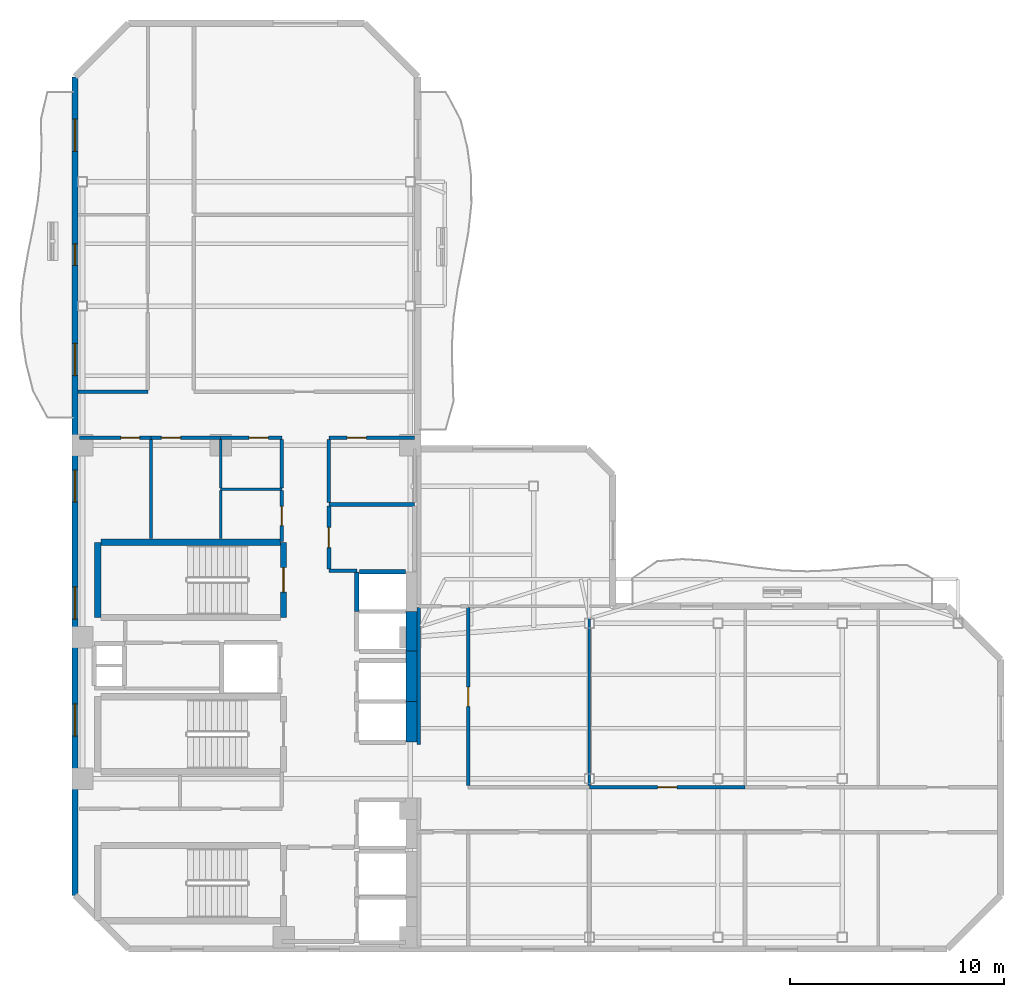
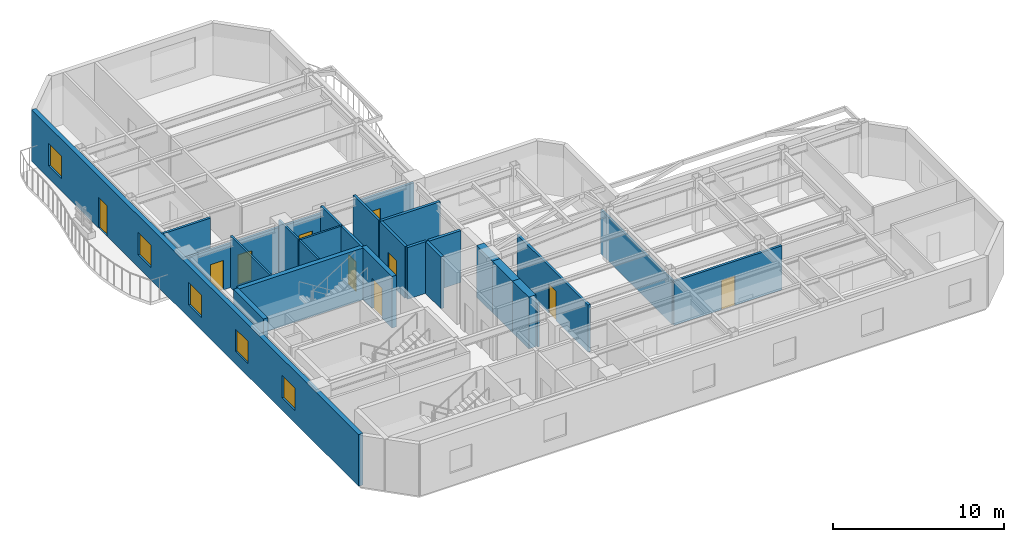
# One storey, part 4 of 9: 28 walls, 10 doors, 5 windows, 15 openings.
"""IFC4 building model written with IfcOpenShell, lengths in metres."""

import ifcopenshell
import ifcopenshell.guid

model = None  # the IFC model being written
_history = None  # IfcOwnerHistory: only IFC2X3 demands one
_inside = {}  # id of a spatial element -> (the spatial element, [elements in it])
_under = {}  # id of a project, library or spatial element -> (it, [spatial elements below it])
_declared = {}  # id of a project -> (the project, [libraries it declares])
_typed = {}  # id of a type object -> (the type object, [elements of that type])
_made_of = {}  # id of a material, layer set ... -> (it, [elements and type objects made of it])


def new_model(schema):
    """Start an empty IFC model of exactly this schema.

    Asked for "IFC4X3", IfcOpenShell would pick the latest addendum, in which some entities
    have other attributes; the version numbers below select the first issue.
    IFC2X3 requires an IfcOwnerHistory on every rooted entity: one is made here for all.
    """
    global model, _history
    if schema == "IFC4X3":
        model = ifcopenshell.file(schema_version=(4, 3, 0, 0))
    else:
        model = ifcopenshell.file(schema=schema)
    _inside.clear()
    _under.clear()
    _declared.clear()
    _typed.clear()
    _made_of.clear()
    _history = None
    if model.schema == "IFC2X3":
        org = make("IfcOrganization", Name="unknown")
        user = make(
            "IfcPersonAndOrganization",
            ThePerson=make("IfcPerson", FamilyName="unknown"),
            TheOrganization=org,
        )
        app = make(
            "IfcApplication",
            ApplicationDeveloper=org,
            Version="unknown",
            ApplicationFullName="unknown",
            ApplicationIdentifier="unknown",
        )
        _history = make(
            "IfcOwnerHistory",
            OwningUser=user,
            OwningApplication=app,
            ChangeAction="ADDED",
            CreationDate=0,
        )
    return model


def make(cls, **values):
    """One entity of the class cls with the attributes given. An attribute that is None is left unset."""
    return model.create_entity(
        cls, **{name: value for name, value in values.items() if value is not None}
    )


def rooted(cls, **values):
    """An entity with a GlobalId (a new one), such as an element, a storey or a relation."""
    return make(cls, GlobalId=ifcopenshell.guid.new(), OwnerHistory=_history, **values)


def si_unit(unit_type, name, prefix=None):
    """IfcSIUnit, for example si_unit("LENGTHUNIT", "METRE", prefix="MILLI")."""
    return make("IfcSIUnit", UnitType=unit_type, Prefix=prefix, Name=name)


def assignment(units):
    """IfcUnitAssignment: the units of a project."""
    return None if units is None else make("IfcUnitAssignment", Units=units)


def point(xyz):
    """IfcCartesianPoint."""
    return None if xyz is None else make("IfcCartesianPoint", Coordinates=xyz)


def direction(xyz):
    """IfcDirection."""
    return None if xyz is None else make("IfcDirection", DirectionRatios=xyz)


def frame(location, z_axis=None, x_axis=None):
    """IfcAxis2Placement3D, a coordinate frame: its origin and axes. An axis left out is left unset."""
    return make(
        "IfcAxis2Placement3D",
        Location=point(location),
        Axis=direction(z_axis),
        RefDirection=direction(x_axis),
    )


def frame_2d(location, x_axis=None):
    """IfcAxis2Placement2D, a coordinate frame in the plane: its origin and x axis."""
    return make(
        "IfcAxis2Placement2D", Location=point(location), RefDirection=direction(x_axis)
    )


def origin():
    """The frame at (0, 0, 0) with its axes left unset."""
    return frame((0.0, 0.0, 0.0))


def place(relative_to, where):
    """IfcLocalPlacement: puts the frame where relative to a parent placement (None: the world)."""
    return make(
        "IfcLocalPlacement", PlacementRelTo=relative_to, RelativePlacement=where
    )


def context(
    kind, dimensions, precision=None, world=None, true_north=None, identifier=None
):
    """IfcGeometricRepresentationContext, for example the 3D "Model" context."""
    return make(
        "IfcGeometricRepresentationContext",
        ContextIdentifier=identifier,
        ContextType=kind,
        CoordinateSpaceDimension=dimensions,
        Precision=precision,
        WorldCoordinateSystem=world,
        TrueNorth=true_north,
    )


def subcontext(parent, identifier, kind, view, scale=None):
    """IfcGeometricRepresentationSubContext, for example "Body" below "Model"."""
    return make(
        "IfcGeometricRepresentationSubContext",
        ContextIdentifier=identifier,
        ContextType=kind,
        ParentContext=parent,
        TargetScale=scale,
        TargetView=view,
    )


def project(units=None, contexts=None):
    """IfcProject with its units and contexts."""
    return rooted(
        "IfcProject",
        Name="project",
        RepresentationContexts=contexts,
        UnitsInContext=assignment(units),
    )


def spatial(cls, under=None, at=None, **own):
    """A site, building, storey or space (cls), placed at a placement, below another one or the project."""
    s = rooted(cls, ObjectPlacement=at, **own)
    if under is not None:
        _under.setdefault(under.id(), (under, []))[1].append(s)
    return s


def profile(cls, at=None, kind="AREA", **sizes):
    """A parametric profile (cls). Its sizes go by their IFC names, for example OverallWidth=200.0."""
    return make(cls, ProfileType=kind, Position=at, **sizes)


def rectangle(**sizes):
    """IfcRectangleProfileDef."""
    return profile("IfcRectangleProfileDef", **sizes)


def extrude(swept, where, along, depth):
    """IfcExtrudedAreaSolid: the profile swept, set in the frame where, extruded along a direction by depth."""
    return make(
        "IfcExtrudedAreaSolid",
        SweptArea=swept,
        Position=where,
        ExtrudedDirection=direction(along),
        Depth=depth,
    )


def shape(context_of_items, identifier, shape_type, items):
    """IfcShapeRepresentation: the items that make up one representation, for example the "Body"."""
    return make(
        "IfcShapeRepresentation",
        ContextOfItems=context_of_items,
        RepresentationIdentifier=identifier,
        RepresentationType=shape_type,
        Items=items,
    )


def material(Name=None, Category=None):
    """IfcMaterial."""
    return make("IfcMaterial", Name=Name, Category=Category)


def layer(
    of_material, thickness, ventilated=None, Name=None, Category=None, Priority=None
):
    """IfcMaterialLayer: one layer of a wall or slab, of a material (None: an air gap)."""
    return make(
        "IfcMaterialLayer",
        Material=of_material,
        LayerThickness=thickness,
        IsVentilated=ventilated,
        Name=Name,
        Category=Category,
        Priority=Priority,
    )


def layer_set(layers, Name=None):
    """IfcMaterialLayerSet."""
    return make("IfcMaterialLayerSet", MaterialLayers=layers, LayerSetName=Name)


def made_of(thing, what):
    """Note that an element or type object is made of a material, layer set ...; save() writes the relation."""
    if what is not None:
        _made_of.setdefault(what.id(), (what, []))[1].append(thing)
    return thing


def type_object(cls, material=None, **own):
    """A type object (cls), such as IfcWallType, which elements share."""
    return made_of(rooted(cls, **own), material)


def element(
    cls,
    number,
    at=None,
    inside=None,
    cuts=None,
    type_object=None,
    material=None,
    context=None,
    identifier="Body",
    shape_type=None,
    held_by="IfcProductDefinitionShape",
    body=None,
    shapes=None,
    **own,
):
    """One element of the class cls, such as IfcWall. Its Tag is "e" and its number.

    at: its placement. inside: the storey or other place that contains it. cuts: it is an
    opening in that element (IfcRelVoidsElement). A single representation is given by context,
    identifier, shape_type and body (its items); several are given by shapes. held_by: the class
    of the entity that holds the representations. save() writes the other relations.
    """
    e = rooted(cls, Tag="e%d" % number, ObjectPlacement=at, **own)
    if body is not None:
        shapes = [shape(context, identifier, shape_type, body)]
    if shapes is not None:
        e.Representation = make(held_by, Representations=shapes)
    if inside is not None:
        _inside.setdefault(inside.id(), (inside, []))[1].append(e)
    if cuts is not None:
        rooted(
            "IfcRelVoidsElement", RelatingBuildingElement=cuts, RelatedOpeningElement=e
        )
    if type_object is not None:
        _typed.setdefault(type_object.id(), (type_object, []))[1].append(e)
    return made_of(e, material)


def fill(opening, filler):
    """IfcRelFillsElement: the door or window that sits in an opening."""
    return rooted(
        "IfcRelFillsElement",
        RelatingOpeningElement=opening,
        RelatedBuildingElement=filler,
    )


def aggregate(whole, parts):
    """IfcRelAggregates: a whole, such as a stair, and the parts it consists of."""
    return rooted("IfcRelAggregates", RelatingObject=whole, RelatedObjects=parts)


def save(model, path):
    """Write the relations noted so far, then the file.

    IfcRelAggregates (storeys below a building ...), IfcRelContainedInSpatialStructure (elements
    in a storey), IfcRelDefinesByType, IfcRelAssociatesMaterial and IfcRelDeclares: one each for
    every whole, place, type object, material and project.
    """
    for whole, parts in _under.values():
        aggregate(whole, parts)
    for where, things in _inside.values():
        rooted(
            "IfcRelContainedInSpatialStructure",
            RelatedElements=things,
            RelatingStructure=where,
        )
    for kind, things in _typed.values():
        rooted("IfcRelDefinesByType", RelatedObjects=things, RelatingType=kind)
    for what, things in _made_of.values():
        rooted("IfcRelAssociatesMaterial", RelatedObjects=things, RelatingMaterial=what)
    for by, libraries in _declared.values():
        rooted("IfcRelDeclares", RelatingContext=by, RelatedDefinitions=libraries)
    model.write(path)


model = new_model("IFC4")

# Units and contexts
model_context = context("Model", 3, precision=1e-05, world=origin(), true_north=direction((0.0, 1.0)))
body_context = subcontext(model_context, "Body", "Model", "MODEL_VIEW")
ifc_project = project(units=[si_unit("LENGTHUNIT", "METRE"), si_unit("AREAUNIT", "SQUARE_METRE"), si_unit("VOLUMEUNIT", "CUBIC_METRE"), si_unit("PLANEANGLEUNIT", "RADIAN"), si_unit("MASSUNIT", "GRAM", prefix="KILO")], contexts=[model_context])

# Site, building, storey
site_placement = place(None, origin())
site = spatial("IfcSite", under=ifc_project, at=site_placement, CompositionType="ELEMENT")
building_placement = place(site_placement, origin())
building = spatial("IfcBuilding", under=site, at=building_placement, Name="Mawjaban Terraces University", CompositionType="ELEMENT")
storey_placement = place(building_placement, frame((0.0, 0.0, 203.10009765625)))
storey = spatial("IfcBuildingStorey", under=building, at=storey_placement, Name="L49", CompositionType="ELEMENT", Elevation=203.10009765625)

# Walls
ifc_material_1 = material(Name="Acoustic masonry blockwork", Category="masonry")
ifc_layer_1 = layer(ifc_material_1, 0.179931640625)
ifc_layer_set_1 = layer_set([ifc_layer_1], Name="Acoustic masonry blockwork")
wall_type_1 = type_object("IfcWallType", Name="AcousticStudioWall_180", PredefinedType="PARTITIONING", material=ifc_layer_set_1)
wall_1_placement = place(storey_placement, frame((33.85009765625, 17.64990234375, 0.0), z_axis=(0.0, 0.0, 1.0), x_axis=(1.0, 0.0, 0.0)))
element("IfcWall", 1, at=wall_1_placement, inside=storey, type_object=wall_type_1, Name="L49 Graduate Research Collaboration Studio Partition 12", PredefinedType="PARTITIONING", context=body_context, shape_type="SweptSolid", body=[
    extrude(rectangle(XDim=1.2998046875, YDim=0.179931640625, at=frame_2d((0.64990234375, 0.0))), origin(), (0.0, 0.0, 1.0), 3.68994140625),
])
wall_2_placement = place(storey_placement, frame((37.85009765625, 20.75, 0.0), z_axis=(0.0, 0.0, 1.0), x_axis=(-1.0, 0.0, 0.0)))
element("IfcWall", 2, at=wall_2_placement, inside=storey, type_object=wall_type_1, Name="L49 Graduate Research Collaboration Studio Partition 14", PredefinedType="PARTITIONING", context=body_context, shape_type="SweptSolid", body=[
    extrude(rectangle(XDim=4.0, YDim=0.179931640625, at=frame_2d((2.0, 0.0))), origin(), (0.0, 0.0, 1.0), 3.68994140625),
])

# Wall, opening, door
wall_3_placement = place(storey_placement, frame((33.85009765625, 17.735107421875, 0.0), z_axis=(0.0, 0.0, 1.0), x_axis=(0.0, 1.0, 0.0)))
wall_3 = element("IfcWall", 3, at=wall_3_placement, inside=storey, type_object=wall_type_1, Name="L49 Core North Lift Lobby Partition 42", PredefinedType="PARTITIONING", context=body_context, shape_type="SweptSolid", body=[
    extrude(rectangle(XDim=2.929931640625, YDim=0.179931640625, at=frame_2d((1.46484375, 0.0))), origin(), (0.0, 0.0, 1.0), 3.68994140625),
])
opening_1_placement = place(wall_3_placement, frame((0.989990234375, 0.0, 0.0)))
opening_1 = element("IfcOpeningElement", 4, at=opening_1_placement, cuts=wall_3, Name="Opening ID-095", PredefinedType="OPENING", context=body_context, shape_type="SweptSolid", body=[
    extrude(rectangle(XDim=0.949951171875, YDim=2.10009765625, at=frame_2d((0.47509765625, 1.050048828125))), frame((0.0, 0.099853515625, 0.0), z_axis=(0.0, -1.0, 0.0), x_axis=(1.0, 0.0, 0.0)), (0.0, 0.0, 1.0), 0.199951171875),
])
ifc_material_2 = material(Name="Powder-coated steel frame and solid acoustic timber leaf", Category="steel")
door_type_1 = type_object("IfcDoorType", Name="StudioDoor_950x2100", OperationType="NOTDEFINED", PredefinedType="DOOR", material=ifc_material_2)
door_1_placement = place(opening_1_placement, origin())
door_1 = element("IfcDoor", 5, at=door_1_placement, inside=storey, type_object=door_type_1, Name="L49 Graduate Research Collaboration Studio Door", OperationType="SINGLE_SWING_RIGHT", OverallHeight=2.10009765625, OverallWidth=0.949951171875, PredefinedType="DOOR", context=body_context, shape_type="SweptSolid", body=[
    extrude(rectangle(XDim=0.949951171875, YDim=2.10009765625, at=frame_2d((0.47509765625, 1.050048828125))), frame((0.0, 0.02490234375, 0.0), z_axis=(0.0, -1.0, 0.0), x_axis=(1.0, 0.0, 0.0)), (0.0, 0.0, 1.0), 0.050048828125),
])
fill(opening_1, door_1)

# Walls
ifc_material_3 = material(Name="Concrete C60/75", Category="concrete")
ifc_layer_2 = layer(ifc_material_3, 0.5)
ifc_layer_set_2 = layer_set([ifc_layer_2], Name="Concrete C60/75")
wall_type_2 = type_object("IfcWallType", Name="CoreShearWall_500", PredefinedType="SHEAR", material=ifc_layer_set_2)
wall_4_placement = place(storey_placement, frame((37.699951171875, 9.64990234375, 0.0), z_axis=(0.0, 0.0, 1.0), x_axis=(0.0, 1.0, 0.0)))
element("IfcWall", 6, at=wall_4_placement, inside=storey, type_object=wall_type_2, Name="L49 Lift PL-H1 Hoistway Wall East", PredefinedType="SHEAR", context=body_context, shape_type="SweptSolid", body=[
    extrude(rectangle(XDim=1.900146484375, YDim=0.5, at=frame_2d((0.9501953125, 0.0))), origin(), (0.0, 0.0, 1.0), 3.68994140625),
])
wall_5_placement = place(storey_placement, frame((37.699951171875, 11.550048828125, 0.0), z_axis=(0.0, 0.0, 1.0), x_axis=(0.0, 1.0, 0.0)))
element("IfcWall", 7, at=wall_5_placement, inside=storey, type_object=wall_type_2, Name="L49 Lift PL-H2 Hoistway Wall East", PredefinedType="SHEAR", context=body_context, shape_type="SweptSolid", body=[
    extrude(rectangle(XDim=2.349853515625, YDim=0.5, at=frame_2d((1.1748046875, 0.0))), origin(), (0.0, 0.0, 1.0), 3.68994140625),
])
wall_6_placement = place(storey_placement, frame((37.699951171875, 13.89990234375, 0.0), z_axis=(0.0, 0.0, 1.0), x_axis=(0.0, 1.0, 0.0)))
element("IfcWall", 8, at=wall_6_placement, inside=storey, type_object=wall_type_2, Name="L49 Lift OL-1 Hoistway Wall East", PredefinedType="SHEAR", context=body_context, shape_type="SweptSolid", body=[
    extrude(rectangle(XDim=1.85009765625, YDim=0.5, at=frame_2d((0.925048828125, 0.0))), origin(), (0.0, 0.0, 1.0), 3.68994140625),
])
ifc_material_4 = material(Name="Fire-rated gypsum board on steel stud", Category="steel")
ifc_layer_3 = layer(ifc_material_4, 0.159912109375)
ifc_layer_set_3 = layer_set([ifc_layer_3], Name="Fire-rated gypsum board on steel stud")
wall_type_3 = type_object("IfcWallType", Name="CorridorPartition_160", PredefinedType="PARTITIONING", material=ifc_layer_set_3)
wall_7_placement = place(storey_placement, frame((25.39990234375, 26.0, 0.0), z_axis=(0.0, 0.0, 1.0), x_axis=(-1.0, 0.0, 0.0)))
element("IfcWall", 9, at=wall_7_placement, inside=storey, type_object=wall_type_3, Name="L49 North Core Cross-Corridor Partition 3", PredefinedType="PARTITIONING", context=body_context, shape_type="SweptSolid", body=[
    extrude(rectangle(XDim=3.2548828125, YDim=0.159912109375, at=frame_2d((1.62744140625, 0.0))), origin(), (0.0, 0.0, 1.0), 3.68994140625),
])

# Wall, opening, door
wall_8_placement = place(storey_placement, frame((25.550048828125, 23.85009765625, 0.0), z_axis=(0.0, 0.0, 1.0), x_axis=(-1.0, 0.0, 0.0)))
wall_8 = element("IfcWall", 10, at=wall_8_placement, inside=storey, type_object=wall_type_3, Name="L49 Female Toilet Partition 5", PredefinedType="PARTITIONING", context=body_context, shape_type="SweptSolid", body=[
    extrude(rectangle(XDim=3.35009765625, YDim=0.159912109375, at=frame_2d((1.675048828125, 0.0))), origin(), (0.0, 0.0, 1.0), 3.14599609375),
])
opening_2_placement = place(wall_8_placement, frame((0.534912109375, 0.0, 0.0)))
opening_2 = element("IfcOpeningElement", 11, at=opening_2_placement, cuts=wall_8, Name="Opening ID-088", PredefinedType="OPENING", context=body_context, shape_type="SweptSolid", body=[
    extrude(rectangle(XDim=0.8798828125, YDim=2.10009765625, at=frame_2d((0.43994140625, 1.050048828125))), frame((0.0, 0.08984375, 0.0), z_axis=(0.0, -1.0, 0.0), x_axis=(1.0, 0.0, 0.0)), (0.0, 0.0, 1.0), 0.179931640625),
])
door_type_2 = type_object("IfcDoorType", Name="ToiletDoor_880x2100", OperationType="NOTDEFINED", PredefinedType="DOOR", material=ifc_material_2)
door_2_placement = place(opening_2_placement, origin())
door_2 = element("IfcDoor", 12, at=door_2_placement, inside=storey, type_object=door_type_2, Name="L49 Female Toilet Door", OperationType="SINGLE_SWING_LEFT", OverallHeight=2.10009765625, OverallWidth=0.8798828125, PredefinedType="DOOR", context=body_context, shape_type="SweptSolid", body=[
    extrude(rectangle(XDim=0.8798828125, YDim=2.10009765625, at=frame_2d((0.43994140625, 1.050048828125))), frame((0.0, 0.02490234375, 0.0), z_axis=(0.0, -1.0, 0.0), x_axis=(1.0, 0.0, 0.0)), (0.0, 0.0, 1.0), 0.050048828125),
])
fill(opening_2, door_2)

wall_9_placement = place(storey_placement, frame((28.800048828125, 23.85009765625, 0.0), z_axis=(0.0, 0.0, 1.0), x_axis=(-1.0, 0.0, 0.0)))
wall_9 = element("IfcWall", 13, at=wall_9_placement, inside=storey, type_object=wall_type_3, Name="L49 Staff Tea Pantry Partition 7", PredefinedType="PARTITIONING", context=body_context, shape_type="SweptSolid", body=[
    extrude(rectangle(XDim=3.25, YDim=0.159912109375, at=frame_2d((1.625, 0.0))), origin(), (0.0, 0.0, 1.0), 3.14599609375),
])
opening_3_placement = place(wall_9_placement, frame((1.875, 0.0, 0.0)))
opening_3 = element("IfcOpeningElement", 14, at=opening_3_placement, cuts=wall_9, Name="Opening ID-090", PredefinedType="OPENING", context=body_context, shape_type="SweptSolid", body=[
    extrude(rectangle(XDim=0.89990234375, YDim=2.10009765625, at=frame_2d((0.449951171875, 1.050048828125))), frame((0.0, 0.08984375, 0.0), z_axis=(0.0, -1.0, 0.0), x_axis=(1.0, 0.0, 0.0)), (0.0, 0.0, 1.0), 0.179931640625),
])
door_type_3 = type_object("IfcDoorType", Name="OfficeDoor_900x2100", OperationType="NOTDEFINED", PredefinedType="DOOR", material=ifc_material_2)
door_3_placement = place(opening_3_placement, origin())
door_3 = element("IfcDoor", 15, at=door_3_placement, inside=storey, type_object=door_type_3, Name="L49 Staff Tea Pantry Door", OperationType="SINGLE_SWING_RIGHT", OverallHeight=2.10009765625, OverallWidth=0.89990234375, PredefinedType="DOOR", context=body_context, shape_type="SweptSolid", body=[
    extrude(rectangle(XDim=0.89990234375, YDim=2.10009765625, at=frame_2d((0.449951171875, 1.050048828125))), frame((0.0, 0.02490234375, 0.0), z_axis=(0.0, -1.0, 0.0), x_axis=(1.0, 0.0, 0.0)), (0.0, 0.0, 1.0), 0.050048828125),
])
fill(opening_3, door_3)

wall_10_placement = place(storey_placement, frame((31.64990234375, 23.85009765625, 0.0), z_axis=(0.0, 0.0, 1.0), x_axis=(-1.0, 0.0, 0.0)))
wall_10 = element("IfcWall", 16, at=wall_10_placement, inside=storey, type_object=wall_type_3, Name="L49 Faculty Consultation Alcove Partition 11", PredefinedType="PARTITIONING", context=body_context, shape_type="SweptSolid", body=[
    extrude(rectangle(XDim=2.849853515625, YDim=0.159912109375, at=frame_2d((1.4248046875, 0.0))), origin(), (0.0, 0.0, 1.0), 3.14599609375),
])
opening_4_placement = place(wall_10_placement, frame((0.625, 0.0, 0.0)))
opening_4 = element("IfcOpeningElement", 17, at=opening_4_placement, cuts=wall_10, Name="Opening ID-090", PredefinedType="OPENING", context=body_context, shape_type="SweptSolid", body=[
    extrude(rectangle(XDim=0.89990234375, YDim=2.10009765625, at=frame_2d((0.449951171875, 1.050048828125))), frame((0.0, 0.08984375, 0.0), z_axis=(0.0, -1.0, 0.0), x_axis=(1.0, 0.0, 0.0)), (0.0, 0.0, 1.0), 0.179931640625),
])
door_4_placement = place(opening_4_placement, origin())
door_4 = element("IfcDoor", 18, at=door_4_placement, inside=storey, type_object=door_type_3, Name="L49 Faculty Consultation Alcove Door", OperationType="SINGLE_SWING_LEFT", OverallHeight=2.10009765625, OverallWidth=0.89990234375, PredefinedType="DOOR", context=body_context, shape_type="SweptSolid", body=[
    extrude(rectangle(XDim=0.89990234375, YDim=2.10009765625, at=frame_2d((0.449951171875, 1.050048828125))), frame((0.0, 0.02490234375, 0.0), z_axis=(0.0, -1.0, 0.0), x_axis=(1.0, 0.0, 0.0)), (0.0, 0.0, 1.0), 0.050048828125),
])
fill(opening_4, door_4)

wall_11_placement = place(storey_placement, frame((37.85009765625, 23.85009765625, 0.0), z_axis=(0.0, 0.0, 1.0), x_axis=(-1.0, 0.0, 0.0)))
wall_11 = element("IfcWall", 19, at=wall_11_placement, inside=storey, type_object=wall_type_3, Name="L49 Departmental Copy and Archive Room Partition 15", PredefinedType="PARTITIONING", context=body_context, shape_type="SweptSolid", body=[
    extrude(rectangle(XDim=4.0, YDim=0.159912109375, at=frame_2d((2.0, 0.0))), origin(), (0.0, 0.0, 1.0), 3.14599609375),
])
opening_5_placement = place(wall_11_placement, frame((2.25, 0.0, 0.0)))
opening_5 = element("IfcOpeningElement", 20, at=opening_5_placement, cuts=wall_11, Name="Opening ID-090", PredefinedType="OPENING", context=body_context, shape_type="SweptSolid", body=[
    extrude(rectangle(XDim=0.89990234375, YDim=2.10009765625, at=frame_2d((0.449951171875, 1.050048828125))), frame((0.0, 0.08984375, 0.0), z_axis=(0.0, -1.0, 0.0), x_axis=(1.0, 0.0, 0.0)), (0.0, 0.0, 1.0), 0.179931640625),
])
door_5_placement = place(opening_5_placement, origin())
door_5 = element("IfcDoor", 21, at=door_5_placement, inside=storey, type_object=door_type_3, Name="L49 Departmental Copy and Archive Room Door", OperationType="SINGLE_SWING_LEFT", OverallHeight=2.10009765625, OverallWidth=0.89990234375, PredefinedType="DOOR", context=body_context, shape_type="SweptSolid", body=[
    extrude(rectangle(XDim=0.89990234375, YDim=2.10009765625, at=frame_2d((0.449951171875, 1.050048828125))), frame((0.0, 0.02490234375, 0.0), z_axis=(0.0, -1.0, 0.0), x_axis=(1.0, 0.0, 0.0)), (0.0, 0.0, 1.0), 0.050048828125),
])
fill(opening_5, door_5)

wall_12_placement = place(storey_placement, frame((53.27001953125, 7.550048828125, 0.0), z_axis=(0.0, 0.0, 1.0), x_axis=(-1.0, 0.0, 0.0)))
wall_12 = element("IfcWall", 22, at=wall_12_placement, inside=storey, type_object=wall_type_3, Name="L49 South Shifted Academic Corridor Partition 26", PredefinedType="PARTITIONING", context=body_context, shape_type="SweptSolid", body=[
    extrude(rectangle(XDim=7.27001953125, YDim=0.159912109375, at=frame_2d((3.635009765625, 0.0))), origin(), (0.0, 0.0, 1.0), 3.14599609375),
])
opening_6_placement = place(wall_12_placement, frame((3.18505859375, 0.0, 0.0)))
opening_6 = element("IfcOpeningElement", 23, at=opening_6_placement, cuts=wall_12, Name="Opening ID-090", PredefinedType="OPENING", context=body_context, shape_type="SweptSolid", body=[
    extrude(rectangle(XDim=0.89990234375, YDim=2.10009765625, at=frame_2d((0.449951171875, 1.050048828125))), frame((0.0, 0.08984375, 0.0), z_axis=(0.0, -1.0, 0.0), x_axis=(1.0, 0.0, 0.0)), (0.0, 0.0, 1.0), 0.179931640625),
])
door_6_placement = place(opening_6_placement, origin())
door_6 = element("IfcDoor", 24, at=door_6_placement, inside=storey, type_object=door_type_3, Name="L49 Quiet Reading Room 5 Door", OperationType="SINGLE_SWING_LEFT", OverallHeight=2.10009765625, OverallWidth=0.89990234375, PredefinedType="DOOR", context=body_context, shape_type="SweptSolid", body=[
    extrude(rectangle(XDim=0.89990234375, YDim=2.10009765625, at=frame_2d((0.449951171875, 1.050048828125))), frame((0.0, 0.02490234375, 0.0), z_axis=(0.0, -1.0, 0.0), x_axis=(1.0, 0.0, 0.0)), (0.0, 0.0, 1.0), 0.050048828125),
])
fill(opening_6, door_6)

wall_13_placement = place(storey_placement, frame((31.64990234375, 19.010009765625, 0.0), z_axis=(0.0, 0.0, 1.0), x_axis=(0.0, 1.0, 0.0)))
wall_13 = element("IfcWall", 25, at=wall_13_placement, inside=storey, type_object=wall_type_3, Name="L49 Faculty Academic Resource Office Partition 40", PredefinedType="PARTITIONING", context=body_context, shape_type="SweptSolid", body=[
    extrude(rectangle(XDim=2.382080078125, YDim=0.159912109375, at=frame_2d((1.19091796875, 0.0))), origin(), (0.0, 0.0, 1.0), 3.68994140625),
])
opening_7_placement = place(wall_13_placement, frame((0.740966796875, 0.0, 0.0)))
opening_7 = element("IfcOpeningElement", 26, at=opening_7_placement, cuts=wall_13, Name="Opening ID-090", PredefinedType="OPENING", context=body_context, shape_type="SweptSolid", body=[
    extrude(rectangle(XDim=0.89990234375, YDim=2.10009765625, at=frame_2d((0.449951171875, 1.050048828125))), frame((0.0, 0.08984375, 0.0), z_axis=(0.0, -1.0, 0.0), x_axis=(1.0, 0.0, 0.0)), (0.0, 0.0, 1.0), 0.179931640625),
])
door_7_placement = place(opening_7_placement, origin())
door_7 = element("IfcDoor", 27, at=door_7_placement, inside=storey, type_object=door_type_3, Name="L49 Faculty Academic Resource Office Door", OperationType="SINGLE_SWING_RIGHT", OverallHeight=2.10009765625, OverallWidth=0.89990234375, PredefinedType="DOOR", context=body_context, shape_type="SweptSolid", body=[
    extrude(rectangle(XDim=0.89990234375, YDim=2.10009765625, at=frame_2d((0.449951171875, 1.050048828125))), frame((0.0, 0.02490234375, 0.0), z_axis=(0.0, -1.0, 0.0), x_axis=(1.0, 0.0, 0.0)), (0.0, 0.0, 1.0), 0.050048828125),
])
fill(opening_7, door_7)

# Walls
wall_14_placement = place(storey_placement, frame((31.64990234375, 23.77490234375, 0.0), z_axis=(0.0, 0.0, 1.0), x_axis=(0.0, -1.0, 0.0)))
element("IfcWall", 28, at=wall_14_placement, inside=storey, type_object=wall_type_3, Name="L49 Core North Lift Lobby Partition 41", PredefinedType="PARTITIONING", context=body_context, shape_type="SweptSolid", body=[
    extrude(rectangle(XDim=2.266845703125, YDim=0.159912109375, at=frame_2d((1.13330078125, 0.0))), origin(), (0.0, 0.0, 1.0), 3.68994140625),
])
wall_15_placement = place(storey_placement, frame((33.85009765625, 20.8349609375, 0.0), z_axis=(0.0, 0.0, 1.0), x_axis=(0.0, 1.0, 0.0)))
element("IfcWall", 29, at=wall_15_placement, inside=storey, type_object=wall_type_3, Name="L49 Core North Lift Lobby Partition 43", PredefinedType="PARTITIONING", context=body_context, shape_type="SweptSolid", body=[
    extrude(rectangle(XDim=2.93994140625, YDim=0.159912109375, at=frame_2d((1.469970703125, 0.0))), origin(), (0.0, 0.0, 1.0), 3.68994140625),
])
wall_16_placement = place(storey_placement, frame((38.050048828125, 15.925048828125, 0.0), z_axis=(0.0, 0.0, 1.0), x_axis=(0.0, -1.0, 0.0)))
element("IfcWall", 30, at=wall_16_placement, inside=storey, type_object=wall_type_3, Name="L49 South Spine Spur Link Partition 48", PredefinedType="PARTITIONING", context=body_context, shape_type="SweptSolid", body=[
    extrude(rectangle(XDim=6.375, YDim=0.159912109375, at=frame_2d((3.1875, 0.0))), origin(), (0.0, 0.0, 1.0), 3.14599609375),
])

# Wall, opening, door
wall_17_placement = place(storey_placement, frame((40.35009765625, 7.625, 0.0), z_axis=(0.0, 0.0, 1.0), x_axis=(0.0, 1.0, 0.0)))
wall_17 = element("IfcWall", 31, at=wall_17_placement, inside=storey, type_object=wall_type_3, Name="L49 South Spine Spur Link Partition 51", PredefinedType="PARTITIONING", context=body_context, shape_type="SweptSolid", body=[
    extrude(rectangle(XDim=8.300048828125, YDim=0.159912109375, at=frame_2d((4.14990234375, 0.0))), origin(), (0.0, 0.0, 1.0), 3.371826171875),
])
opening_8_placement = place(wall_17_placement, frame((3.699951171875, 0.0, 0.0)))
opening_8 = element("IfcOpeningElement", 32, at=opening_8_placement, cuts=wall_17, Name="Opening ID-090", PredefinedType="OPENING", context=body_context, shape_type="SweptSolid", body=[
    extrude(rectangle(XDim=0.89990234375, YDim=2.10009765625, at=frame_2d((0.449951171875, 1.050048828125))), frame((0.0, 0.08984375, 0.0), z_axis=(0.0, -1.0, 0.0), x_axis=(1.0, 0.0, 0.0)), (0.0, 0.0, 1.0), 0.179931640625),
])
door_8_placement = place(opening_8_placement, origin())
door_8 = element("IfcDoor", 33, at=door_8_placement, inside=storey, type_object=door_type_3, Name="L49 Reading Salon 3 Door", OperationType="SINGLE_SWING_LEFT", OverallHeight=2.10009765625, OverallWidth=0.89990234375, PredefinedType="DOOR", context=body_context, shape_type="SweptSolid", body=[
    extrude(rectangle(XDim=0.89990234375, YDim=2.10009765625, at=frame_2d((0.449951171875, 1.050048828125))), frame((0.0, 0.02490234375, 0.0), z_axis=(0.0, -1.0, 0.0), x_axis=(1.0, 0.0, 0.0)), (0.0, 0.0, 1.0), 0.050048828125),
])
fill(opening_8, door_8)

# Wall, openings, door, windows
ifc_material_5 = material(Name="Insulated terracotta rainscreen on concrete backup C40/50", Category="masonry")
ifc_layer_4 = layer(ifc_material_5, 0.300048828125)
ifc_layer_set_4 = layer_set([ifc_layer_4], Name="Insulated terracotta rainscreen on concrete backup C40/50")
wall_type_4 = type_object("IfcWallType", Name="ExtTerracottaWall_300", PredefinedType="SOLIDWALL", material=ifc_layer_set_4)
wall_18_placement = place(storey_placement, frame((22.0, 40.699951171875, 0.0), z_axis=(0.0, 0.0, 1.0), x_axis=(0.0, -1.0, 0.0)))
wall_18 = element("IfcWall", 34, at=wall_18_placement, inside=storey, type_object=wall_type_4, Name="L49 Exterior Terracotta Wall 13", PredefinedType="SOLIDWALL", context=body_context, shape_type="SweptSolid", body=[
    extrude(rectangle(XDim=38.199951171875, YDim=0.300048828125, at=frame_2d((19.10009765625, 0.0))), origin(), (0.0, 0.0, 1.0), 3.68994140625),
])
opening_9_placement = place(wall_18_placement, frame((7.800048828125, 0.0, 0.0)))
opening_9 = element("IfcOpeningElement", 35, at=opening_9_placement, cuts=wall_18, Name="Opening BD-100", PredefinedType="OPENING", context=body_context, shape_type="SweptSolid", body=[
    extrude(rectangle(XDim=1.0, YDim=2.199951171875, at=frame_2d((0.5, 1.10009765625))), frame((0.0, 0.159912109375, 0.0), z_axis=(0.0, -1.0, 0.0), x_axis=(1.0, 0.0, 0.0)), (0.0, 0.0, 1.0), 0.320068359375),
])
opening_10_placement = place(wall_18_placement, frame((1.97900390625, 0.0, 0.89990234375)))
opening_10 = element("IfcOpeningElement", 36, at=opening_10_placement, cuts=wall_18, Name="Opening W-02", PredefinedType="OPENING", context=body_context, shape_type="SweptSolid", body=[
    extrude(rectangle(XDim=1.5, YDim=1.60009765625, at=frame_2d((0.75, 0.800048828125))), frame((0.0, 0.159912109375, 0.0), z_axis=(0.0, -1.0, 0.0), x_axis=(1.0, 0.0, 0.0)), (0.0, 0.0, 1.0), 0.320068359375),
])
opening_11_placement = place(wall_18_placement, frame((12.443115234375, 0.0, 0.89990234375)))
opening_11 = element("IfcOpeningElement", 37, at=opening_11_placement, cuts=wall_18, Name="Opening W-02", PredefinedType="OPENING", context=body_context, shape_type="SweptSolid", body=[
    extrude(rectangle(XDim=1.5, YDim=1.60009765625, at=frame_2d((0.75, 0.800048828125))), frame((0.0, 0.159912109375, 0.0), z_axis=(0.0, -1.0, 0.0), x_axis=(1.0, 0.0, 0.0)), (0.0, 0.0, 1.0), 0.320068359375),
])
opening_12_placement = place(wall_18_placement, frame((18.35009765625, 0.0, 0.89990234375)))
opening_12 = element("IfcOpeningElement", 38, at=opening_12_placement, cuts=wall_18, Name="Opening W-02", PredefinedType="OPENING", context=body_context, shape_type="SweptSolid", body=[
    extrude(rectangle(XDim=1.5, YDim=1.60009765625, at=frame_2d((0.75, 0.800048828125))), frame((0.0, 0.159912109375, 0.0), z_axis=(0.0, -1.0, 0.0), x_axis=(1.0, 0.0, 0.0)), (0.0, 0.0, 1.0), 0.320068359375),
])
opening_13_placement = place(wall_18_placement, frame((23.806884765625, 0.0, 0.89990234375)))
opening_13 = element("IfcOpeningElement", 39, at=opening_13_placement, cuts=wall_18, Name="Opening W-02", PredefinedType="OPENING", context=body_context, shape_type="SweptSolid", body=[
    extrude(rectangle(XDim=1.5, YDim=1.60009765625, at=frame_2d((0.75, 0.800048828125))), frame((0.0, 0.159912109375, 0.0), z_axis=(0.0, -1.0, 0.0), x_axis=(1.0, 0.0, 0.0)), (0.0, 0.0, 1.0), 0.320068359375),
])
opening_14_placement = place(wall_18_placement, frame((29.263916015625, 0.0, 0.89990234375)))
opening_14 = element("IfcOpeningElement", 40, at=opening_14_placement, cuts=wall_18, Name="Opening W-02", PredefinedType="OPENING", context=body_context, shape_type="SweptSolid", body=[
    extrude(rectangle(XDim=1.5, YDim=1.60009765625, at=frame_2d((0.75, 0.800048828125))), frame((0.0, 0.159912109375, 0.0), z_axis=(0.0, -1.0, 0.0), x_axis=(1.0, 0.0, 0.0)), (0.0, 0.0, 1.0), 0.320068359375),
])
ifc_material_6 = material(Name="Thermally broken anodised aluminium and laminated safety glass", Category="aluminium")
door_type_4 = type_object("IfcDoorType", Name="BalconyGlazedDoor_1000x2200", OperationType="NOTDEFINED", PredefinedType="DOOR", material=ifc_material_6)
door_9_placement = place(opening_9_placement, origin())
door_9 = element("IfcDoor", 41, at=door_9_placement, inside=storey, type_object=door_type_4, Name="L49 Balcony Access Door west", OperationType="SINGLE_SWING_RIGHT", OverallHeight=2.199951171875, OverallWidth=1.0, PredefinedType="DOOR", context=body_context, shape_type="SweptSolid", body=[
    extrude(rectangle(XDim=1.0, YDim=2.199951171875, at=frame_2d((0.5, 1.10009765625))), frame((0.0, 0.02490234375, 0.0), z_axis=(0.0, -1.0, 0.0), x_axis=(1.0, 0.0, 0.0)), (0.0, 0.0, 1.0), 0.050048828125),
])
fill(opening_9, door_9)
ifc_material_7 = material(Name="Low-E solar-control double glazing in thermally broken aluminium frame", Category="aluminium")
window_type = type_object("IfcWindowType", Name="Win_1500x1600", PartitioningType="SINGLE_PANEL", PredefinedType="WINDOW", material=ifc_material_7)
window_1_placement = place(opening_10_placement, origin())
window_1 = element("IfcWindow", 42, at=window_1_placement, inside=storey, type_object=window_type, Name="L49 Facade Window 13.1", OverallHeight=1.60009765625, OverallWidth=1.5, PartitioningType="SINGLE_PANEL", PredefinedType="WINDOW", context=body_context, shape_type="SweptSolid", body=[
    extrude(rectangle(XDim=1.5, YDim=1.60009765625, at=frame_2d((0.75, 0.800048828125))), frame((0.0, 0.030029296875, 0.0), z_axis=(0.0, -1.0, 0.0), x_axis=(1.0, 0.0, 0.0)), (0.0, 0.0, 1.0), 0.06005859375),
])
fill(opening_10, window_1)
window_2_placement = place(opening_11_placement, origin())
window_2 = element("IfcWindow", 43, at=window_2_placement, inside=storey, type_object=window_type, Name="L49 Facade Window 13.3", OverallHeight=1.60009765625, OverallWidth=1.5, PartitioningType="SINGLE_PANEL", PredefinedType="WINDOW", context=body_context, shape_type="SweptSolid", body=[
    extrude(rectangle(XDim=1.5, YDim=1.60009765625, at=frame_2d((0.75, 0.800048828125))), frame((0.0, 0.030029296875, 0.0), z_axis=(0.0, -1.0, 0.0), x_axis=(1.0, 0.0, 0.0)), (0.0, 0.0, 1.0), 0.06005859375),
])
fill(opening_11, window_2)
window_3_placement = place(opening_12_placement, origin())
window_3 = element("IfcWindow", 44, at=window_3_placement, inside=storey, type_object=window_type, Name="L49 Facade Window 13.4", OverallHeight=1.60009765625, OverallWidth=1.5, PartitioningType="SINGLE_PANEL", PredefinedType="WINDOW", context=body_context, shape_type="SweptSolid", body=[
    extrude(rectangle(XDim=1.5, YDim=1.60009765625, at=frame_2d((0.75, 0.800048828125))), frame((0.0, 0.030029296875, 0.0), z_axis=(0.0, -1.0, 0.0), x_axis=(1.0, 0.0, 0.0)), (0.0, 0.0, 1.0), 0.06005859375),
])
fill(opening_12, window_3)
window_4_placement = place(opening_13_placement, origin())
window_4 = element("IfcWindow", 45, at=window_4_placement, inside=storey, type_object=window_type, Name="L49 Facade Window 13.5", OverallHeight=1.60009765625, OverallWidth=1.5, PartitioningType="SINGLE_PANEL", PredefinedType="WINDOW", context=body_context, shape_type="SweptSolid", body=[
    extrude(rectangle(XDim=1.5, YDim=1.60009765625, at=frame_2d((0.75, 0.800048828125))), frame((0.0, 0.030029296875, 0.0), z_axis=(0.0, -1.0, 0.0), x_axis=(1.0, 0.0, 0.0)), (0.0, 0.0, 1.0), 0.06005859375),
])
fill(opening_13, window_4)
window_5_placement = place(opening_14_placement, origin())
window_5 = element("IfcWindow", 46, at=window_5_placement, inside=storey, type_object=window_type, Name="L49 Facade Window 13.6", OverallHeight=1.60009765625, OverallWidth=1.5, PartitioningType="SINGLE_PANEL", PredefinedType="WINDOW", context=body_context, shape_type="SweptSolid", body=[
    extrude(rectangle(XDim=1.5, YDim=1.60009765625, at=frame_2d((0.75, 0.800048828125))), frame((0.0, 0.030029296875, 0.0), z_axis=(0.0, -1.0, 0.0), x_axis=(1.0, 0.0, 0.0)), (0.0, 0.0, 1.0), 0.06005859375),
])
fill(opening_14, window_5)

# Walls
ifc_material_8 = material(Name="Concrete C40/50", Category="concrete")
ifc_layer_5 = layer(ifc_material_8, 0.199951171875)
ifc_layer_set_5 = layer_set([ifc_layer_5], Name="Concrete C40/50")
wall_type_5 = type_object("IfcWallType", Name="FireLobbyWall_200", PredefinedType="SOLIDWALL", material=ifc_layer_set_5)
wall_19_placement = place(storey_placement, frame((35.14990234375, 17.60009765625, 0.0), z_axis=(0.0, 0.0, 1.0), x_axis=(0.0, -1.0, 0.0)))
element("IfcWall", 47, at=wall_19_placement, inside=storey, type_object=wall_type_5, Name="L49 Lift OL-2 Hoistway Wall West", PredefinedType="SOLIDWALL", context=body_context, shape_type="SweptSolid", body=[
    extrude(rectangle(XDim=1.85009765625, YDim=0.199951171875, at=frame_2d((0.925048828125, 0.0))), origin(), (0.0, 0.0, 1.0), 3.68994140625),
])
wall_20_placement = place(storey_placement, frame((37.419921875, 17.60009765625, 0.0), z_axis=(0.0, 0.0, 1.0), x_axis=(-1.0, 0.0, 0.0)))
element("IfcWall", 48, at=wall_20_placement, inside=storey, type_object=wall_type_5, Name="L49 Lift OL-2 Hoistway Wall North", PredefinedType="SOLIDWALL", context=body_context, shape_type="SweptSolid", body=[
    extrude(rectangle(XDim=2.139892578125, YDim=0.199951171875, at=frame_2d((1.06982421875, 0.0))), origin(), (0.0, 0.0, 1.0), 3.68994140625),
])
ifc_material_9 = material(Name="Gypsum plasterboard on steel stud", Category="steel")
ifc_layer_6 = layer(ifc_material_9, 0.125)
ifc_layer_set_6 = layer_set([ifc_layer_6], Name="Gypsum plasterboard on steel stud")
wall_type_6 = type_object("IfcWallType", Name="OfficePartition_125", PredefinedType="PARTITIONING", material=ifc_layer_set_6)
wall_21_placement = place(storey_placement, frame((31.64990234375, 21.449951171875, 0.0), z_axis=(0.0, 0.0, 1.0), x_axis=(-1.0, 0.0, 0.0)))
element("IfcWall", 49, at=wall_21_placement, inside=storey, type_object=wall_type_6, Name="L49 Faculty Academic Resource Office Partition 10", PredefinedType="PARTITIONING", context=body_context, shape_type="SweptSolid", body=[
    extrude(rectangle(XDim=2.849853515625, YDim=0.125, at=frame_2d((1.4248046875, 0.0))), origin(), (0.0, 0.0, 1.0), 3.68994140625),
])
wall_22_placement = place(storey_placement, frame((28.800048828125, 21.39208984375, 0.0), z_axis=(0.0, 0.0, 1.0), x_axis=(0.0, -1.0, 0.0)))
element("IfcWall", 50, at=wall_22_placement, inside=storey, type_object=wall_type_6, Name="L49 Faculty Academic Resource Office Partition 37", PredefinedType="PARTITIONING", context=body_context, shape_type="SweptSolid", body=[
    extrude(rectangle(XDim=2.232177734375, YDim=0.125, at=frame_2d((1.1162109375, 0.0))), origin(), (0.0, 0.0, 1.0), 3.68994140625),
])
wall_23_placement = place(storey_placement, frame((28.800048828125, 23.77490234375, 0.0), z_axis=(0.0, 0.0, 1.0), x_axis=(0.0, -1.0, 0.0)))
element("IfcWall", 51, at=wall_23_placement, inside=storey, type_object=wall_type_6, Name="L49 Faculty Consultation Alcove Partition 38", PredefinedType="PARTITIONING", context=body_context, shape_type="SweptSolid", body=[
    extrude(rectangle(XDim=2.266845703125, YDim=0.125, at=frame_2d((1.13330078125, 0.0))), origin(), (0.0, 0.0, 1.0), 3.68994140625),
])
wall_24_placement = place(storey_placement, frame((46.0, 7.625, 0.0), z_axis=(0.0, 0.0, 1.0), x_axis=(0.0, 1.0, 0.0)))
element("IfcWall", 52, at=wall_24_placement, inside=storey, type_object=wall_type_6, Name="L49 Reading Salon 3 Partition 53", PredefinedType="PARTITIONING", context=body_context, shape_type="SweptSolid", body=[
    extrude(rectangle(XDim=8.318115234375, YDim=0.125, at=frame_2d((4.1591796875, 0.0))), origin(), (0.0, 0.0, 1.0), 3.14599609375),
])
ifc_layer_7 = layer(ifc_material_3, 0.300048828125)
ifc_layer_set_7 = layer_set([ifc_layer_7], Name="Concrete C60/75")
wall_type_7 = type_object("IfcWallType", Name="StairShaftWall_300", PredefinedType="SHEAR", material=ifc_layer_set_7)
wall_25_placement = place(storey_placement, frame((31.580078125, 18.97998046875, 0.0), z_axis=(0.0, 0.0, 1.0), x_axis=(-1.0, 0.0, 0.0)))
element("IfcWall", 53, at=wall_25_placement, inside=storey, type_object=wall_type_7, Name="L49 ST-2 Stair Shaft Wall 1", PredefinedType="SHEAR", context=body_context, shape_type="SweptSolid", body=[
    extrude(rectangle(XDim=8.360107421875, YDim=0.300048828125, at=frame_2d((4.18017578125, 0.0))), origin(), (0.0, 0.0, 1.0), 3.68994140625),
])
wall_26_placement = place(storey_placement, frame((23.070068359375, 18.97998046875, 0.0), z_axis=(0.0, 0.0, 1.0), x_axis=(0.0, -1.0, 0.0)))
element("IfcWall", 54, at=wall_26_placement, inside=storey, type_object=wall_type_7, Name="L49 ST-2 Stair Shaft Wall 2", PredefinedType="SHEAR", context=body_context, shape_type="SweptSolid", body=[
    extrude(rectangle(XDim=3.510009765625, YDim=0.300048828125, at=frame_2d((1.7548828125, 0.0))), origin(), (0.0, 0.0, 1.0), 3.68994140625),
])

# Wall, opening, door
wall_27_placement = place(storey_placement, frame((31.72998046875, 15.469970703125, 0.0), z_axis=(0.0, 0.0, 1.0), x_axis=(0.0, 1.0, 0.0)))
wall_27 = element("IfcWall", 55, at=wall_27_placement, inside=storey, type_object=wall_type_7, Name="L49 ST-2 Stair Shaft Wall 4", PredefinedType="SHEAR", context=body_context, shape_type="SweptSolid", body=[
    extrude(rectangle(XDim=3.510009765625, YDim=0.300048828125, at=frame_2d((1.7548828125, 0.0))), origin(), (0.0, 0.0, 1.0), 3.68994140625),
])
opening_15_placement = place(wall_27_placement, frame((1.179931640625, 0.0, 0.0)))
opening_15 = element("IfcOpeningElement", 56, at=opening_15_placement, cuts=wall_27, Name="Opening FD-115", PredefinedType="OPENING", context=body_context, shape_type="SweptSolid", body=[
    extrude(rectangle(XDim=1.14990234375, YDim=2.14990234375, at=frame_2d((0.574951171875, 1.074951171875))), frame((0.0, 0.159912109375, 0.0), z_axis=(0.0, -1.0, 0.0), x_axis=(1.0, 0.0, 0.0)), (0.0, 0.0, 1.0), 0.320068359375),
])
ifc_material_10 = material(Name="Powder-coated steel frame and fire-rated steel-faced leaf", Category="steel")
door_type_5 = type_object("IfcDoorType", Name="FireStairDoor_1150x2150", OperationType="NOTDEFINED", PredefinedType="DOOR", material=ifc_material_10)
door_10_placement = place(opening_15_placement, origin())
door_10 = element("IfcDoor", 57, at=door_10_placement, inside=storey, type_object=door_type_5, Name="L49 ST-2 Pressurised Stair Fire Door", OperationType="SINGLE_SWING_LEFT", OverallHeight=2.14990234375, OverallWidth=1.14990234375, PredefinedType="DOOR", context=body_context, shape_type="SweptSolid", body=[
    extrude(rectangle(XDim=1.14990234375, YDim=2.14990234375, at=frame_2d((0.574951171875, 1.074951171875))), frame((0.0, 0.02490234375, 0.0), z_axis=(0.0, -1.0, 0.0), x_axis=(1.0, 0.0, 0.0)), (0.0, 0.0, 1.0), 0.050048828125),
])
fill(opening_15, door_10)

# Wall
ifc_material_11 = material(Name="Cement-board wet-room partition", Category="masonry")
ifc_layer_8 = layer(ifc_material_11, 0.135009765625)
ifc_layer_set_8 = layer_set([ifc_layer_8], Name="Cement-board wet-room partition")
wall_type_8 = type_object("IfcWallType", Name="WetRoomPartition_135", PredefinedType="PARTITIONING", material=ifc_layer_set_8)
wall_28_placement = place(storey_placement, frame((25.550048828125, 19.159912109375, 0.0), z_axis=(0.0, 0.0, 1.0), x_axis=(0.0, 1.0, 0.0)))
element("IfcWall", 58, at=wall_28_placement, inside=storey, type_object=wall_type_8, Name="L49 Female Toilet Partition 33", PredefinedType="PARTITIONING", context=body_context, shape_type="SweptSolid", body=[
    extrude(rectangle(XDim=4.614990234375, YDim=0.135009765625, at=frame_2d((2.3076171875, 0.0))), origin(), (0.0, 0.0, 1.0), 3.68994140625),
])

save(model, "model.ifc")
